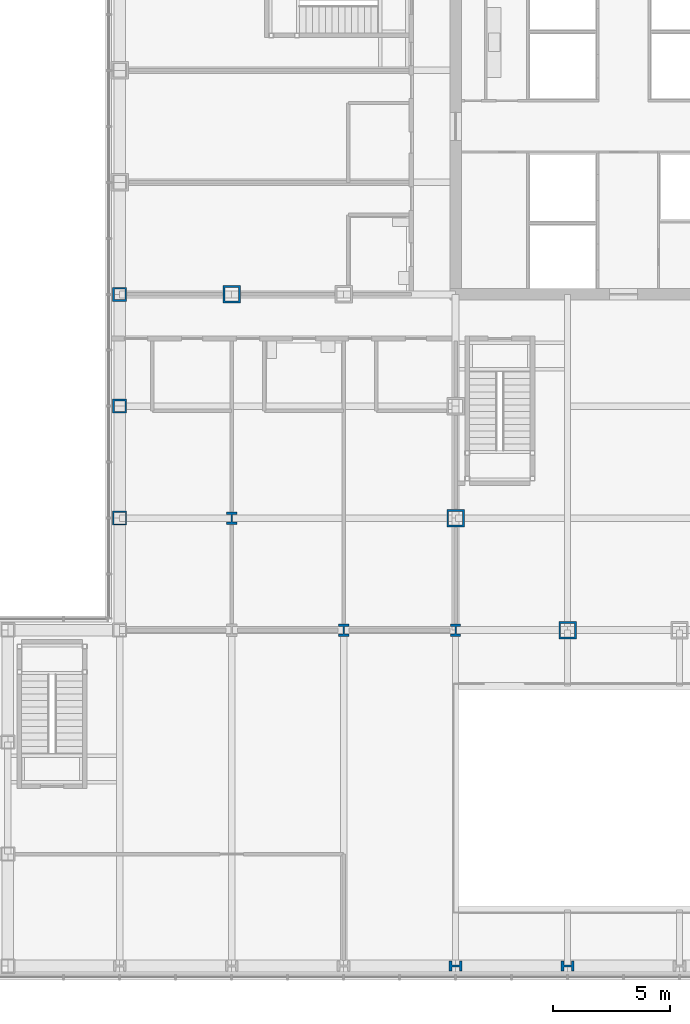
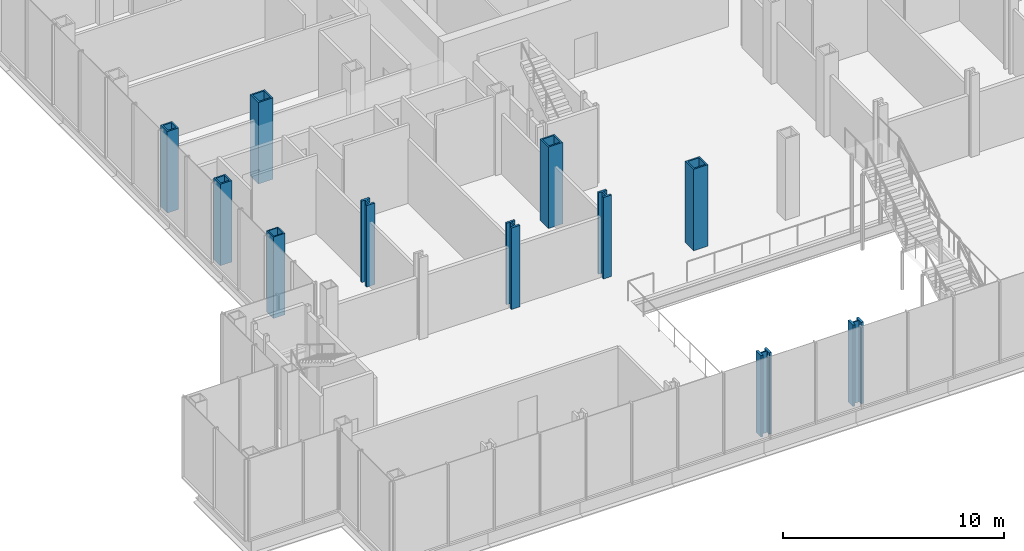
# One storey, part 2 of 28: 11 columns.
"""IFC4 building model written with IfcOpenShell, lengths in metres."""

from ifc_helpers import new_model, si_unit, direction, frame, origin, origin_2d, place, context, subcontext, project, spatial, hollow_rectangle, i_section, extrude, material, material_profile, profile_set, type_object, element, save


model = new_model("IFC4")

# Units and contexts
model_context = context("Model", 3, precision=1e-05, world=origin(), true_north=direction((0.0, 1.0)))
body_context = subcontext(model_context, "Body", "Model", "MODEL_VIEW")
ifc_project = project(units=[si_unit("LENGTHUNIT", "METRE"), si_unit("AREAUNIT", "SQUARE_METRE"), si_unit("VOLUMEUNIT", "CUBIC_METRE"), si_unit("PLANEANGLEUNIT", "RADIAN"), si_unit("MASSUNIT", "GRAM", prefix="KILO")], contexts=[model_context])

# Site, building, storey
site_placement = place(None, origin())
site = spatial("IfcSite", under=ifc_project, at=site_placement, CompositionType="ELEMENT")
building_placement = place(site_placement, origin())
building = spatial("IfcBuilding", under=site, at=building_placement, Name="Kvirike Care Tower", CompositionType="ELEMENT")
storey_placement = place(building_placement, frame((0.0, 0.0, 4.5)))
storey = spatial("IfcBuildingStorey", under=building, at=storey_placement, Name="L01", CompositionType="ELEMENT", Elevation=4.5)

# Columns
ifc_material_1 = material(Name="Steel S460", Category="steel")
ifc_material_profile_1 = material_profile(ifc_material_1, hollow_rectangle(XDim=0.60009765625, YDim=0.60009765625, WallThickness=0.06005859375, at=origin_2d()), Name="BX 600x600x60")
ifc_profile_set_1 = profile_set([ifc_material_profile_1], Name="Steel S460")
column_type_1 = type_object("IfcColumnType", Name="COLUMN BX 600x600x60", PredefinedType="COLUMN", material=ifc_profile_set_1)
column_placement = place(storey_placement, frame((0.0, 19.199951171875, 0.0), z_axis=(0.0, 0.0, 1.0), x_axis=(1.0, 0.0, 0.0)))
element("IfcColumn", 1, at=column_placement, inside=storey, type_object=column_type_1, Name="Column E3 L01", PredefinedType="COLUMN", context=body_context, shape_type="SweptSolid", body=[
    extrude(hollow_rectangle(XDim=0.60009765625, YDim=0.60009765625, WallThickness=0.06005859375, at=origin_2d()), origin(), (0.0, 0.0, 1.0), 4.5),
])
ifc_material_2 = material(Name="Steel S460", Category="steel")
ifc_material_profile_2 = material_profile(ifc_material_2, hollow_rectangle(XDim=0.60009765625, YDim=0.60009765625, WallThickness=0.080078125, at=origin_2d()), Name="BX 600x600x80")
ifc_profile_set_2 = profile_set([ifc_material_profile_2], Name="Steel S460")
column_type_2 = type_object("IfcColumnType", Name="COLUMN BX 600x600x80", PredefinedType="COLUMN", material=ifc_profile_set_2)
for number, where, z_axis, x_axis, name in (
    (2, (0.0, 24.0, 0.0), (0.0, 0.0, 1.0), (1.0, 0.0, 0.0), "Column F3 L01"),
    (3, (0.0, 28.800048828125, 0.0), (0.0, 0.0, 1.0), (0.0, 1.0, 0.0), "Column G3 L01"),
):
    element("IfcColumn", number, at=place(storey_placement, frame(where, z_axis=z_axis, x_axis=x_axis)), inside=storey, type_object=column_type_2, Name=name, PredefinedType="COLUMN", context=body_context, shape_type="SweptSolid", body=[
        extrude(hollow_rectangle(XDim=0.60009765625, YDim=0.60009765625, WallThickness=0.080078125, at=origin_2d()), origin(), (0.0, 0.0, 1.0), 4.5),
    ])
ifc_material_3 = material(Name="Steel S460", Category="steel")
ifc_material_profile_3 = material_profile(ifc_material_3, hollow_rectangle(XDim=0.75, YDim=0.75, WallThickness=0.080078125, at=origin_2d()), Name="BX 750x750x80")
ifc_profile_set_3 = profile_set([ifc_material_profile_3], Name="Steel S460")
column_type_3 = type_object("IfcColumnType", Name="COLUMN BX 750x750x80", PredefinedType="COLUMN", material=ifc_profile_set_3)
for number, where, z_axis, x_axis, name in (
    (4, (4.800048828125, 28.800048828125, 0.0), (0.0, 0.0, 1.0), (0.0, 1.0, 0.0), "Column G4 L01"),
    (5, (14.39990234375, 19.199951171875, 0.0), (0.0, 0.0, 1.0), (1.0, 0.0, 0.0), "Column E6 L01"),
    (6, (19.199951171875, 14.39990234375, 0.0), (0.0, 0.0, 1.0), (1.0, 0.0, 0.0), "Column D7 L01"),
):
    element("IfcColumn", number, at=place(storey_placement, frame(where, z_axis=z_axis, x_axis=x_axis)), inside=storey, type_object=column_type_3, Name=name, PredefinedType="COLUMN", context=body_context, shape_type="SweptSolid", body=[
        extrude(hollow_rectangle(XDim=0.75, YDim=0.75, WallThickness=0.080078125, at=origin_2d()), origin(), (0.0, 0.0, 1.0), 4.5),
    ])
ifc_material_4 = material(Name="Steel S460", Category="steel")
ifc_material_profile_4 = material_profile(ifc_material_4, i_section(OverallWidth=0.44189453125, OverallDepth=0.531005859375, WebThickness=0.06591796875, FlangeThickness=0.10595703125, FilletRadius=0.014892578125, at=origin_2d()), Name="HD 400x900")
ifc_profile_set_4 = profile_set([ifc_material_profile_4], Name="Steel S460")
column_type_4 = type_object("IfcColumnType", Name="COLUMN HD 400x900", PredefinedType="COLUMN", material=ifc_profile_set_4)
for number, where, z_axis, x_axis, name in (
    (7, (4.800048828125, 19.199951171875, 0.0), (0.0, 0.0, 1.0), (1.0, 0.0, 0.0), "Column E4 L01"),
    (8, (9.60009765625, 14.39990234375, 0.0), (0.0, 0.0, 1.0), (1.0, 0.0, 0.0), "Column D5 L01"),
    (9, (14.39990234375, 14.39990234375, 0.0), (0.0, 0.0, 1.0), (1.0, 0.0, 0.0), "Column D6 L01"),
):
    element("IfcColumn", number, at=place(storey_placement, frame(where, z_axis=z_axis, x_axis=x_axis)), inside=storey, type_object=column_type_4, Name=name, PredefinedType="COLUMN", context=body_context, shape_type="SweptSolid", body=[
        extrude(i_section(OverallWidth=0.44189453125, OverallDepth=0.531005859375, WebThickness=0.06591796875, FlangeThickness=0.10595703125, FilletRadius=0.014892578125, at=origin_2d()), origin(), (0.0, 0.0, 1.0), 4.5),
    ])
ifc_material_5 = material(Name="Steel S460", Category="steel")
ifc_material_profile_5 = material_profile(ifc_material_5, i_section(OverallWidth=0.447998046875, OverallDepth=0.550048828125, WebThickness=0.072021484375, FlangeThickness=0.114990234375, FilletRadius=0.014892578125, at=origin_2d()), Name="HD 400x990")
ifc_profile_set_5 = profile_set([ifc_material_profile_5], Name="Steel S460")
column_type_5 = type_object("IfcColumnType", Name="COLUMN HD 400x990", PredefinedType="COLUMN", material=ifc_profile_set_5)
for number, where, z_axis, x_axis, name in (
    (10, (14.39990234375, 0.0, 0.0), (0.0, 0.0, 1.0), (0.0, 1.0, 0.0), "Column A6 L01"),
    (11, (19.199951171875, 0.0, 0.0), (0.0, 0.0, 1.0), (0.0, 1.0, 0.0), "Column A7 L01"),
):
    element("IfcColumn", number, at=place(storey_placement, frame(where, z_axis=z_axis, x_axis=x_axis)), inside=storey, type_object=column_type_5, Name=name, PredefinedType="COLUMN", context=body_context, shape_type="SweptSolid", body=[
        extrude(i_section(OverallWidth=0.447998046875, OverallDepth=0.550048828125, WebThickness=0.072021484375, FlangeThickness=0.114990234375, FilletRadius=0.014892578125, at=origin_2d()), origin(), (0.0, 0.0, 1.0), 4.5),
    ])

save(model, "model.ifc")
